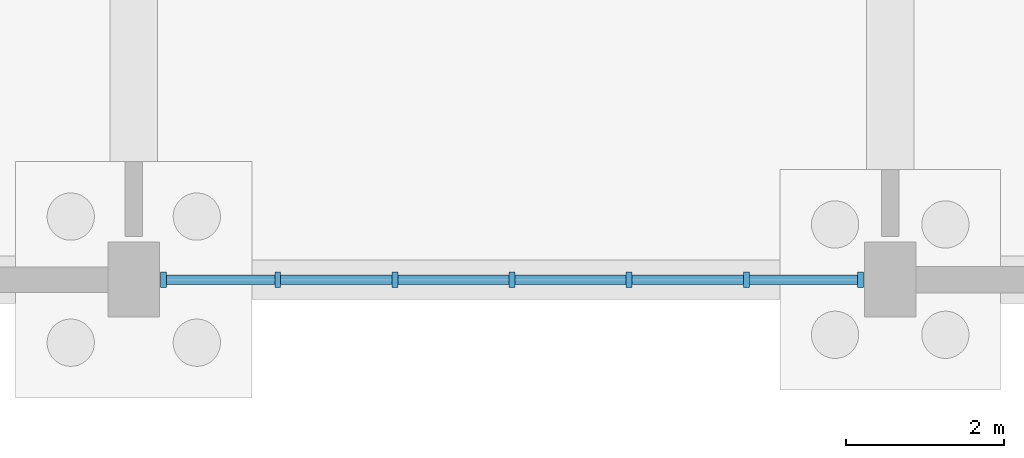
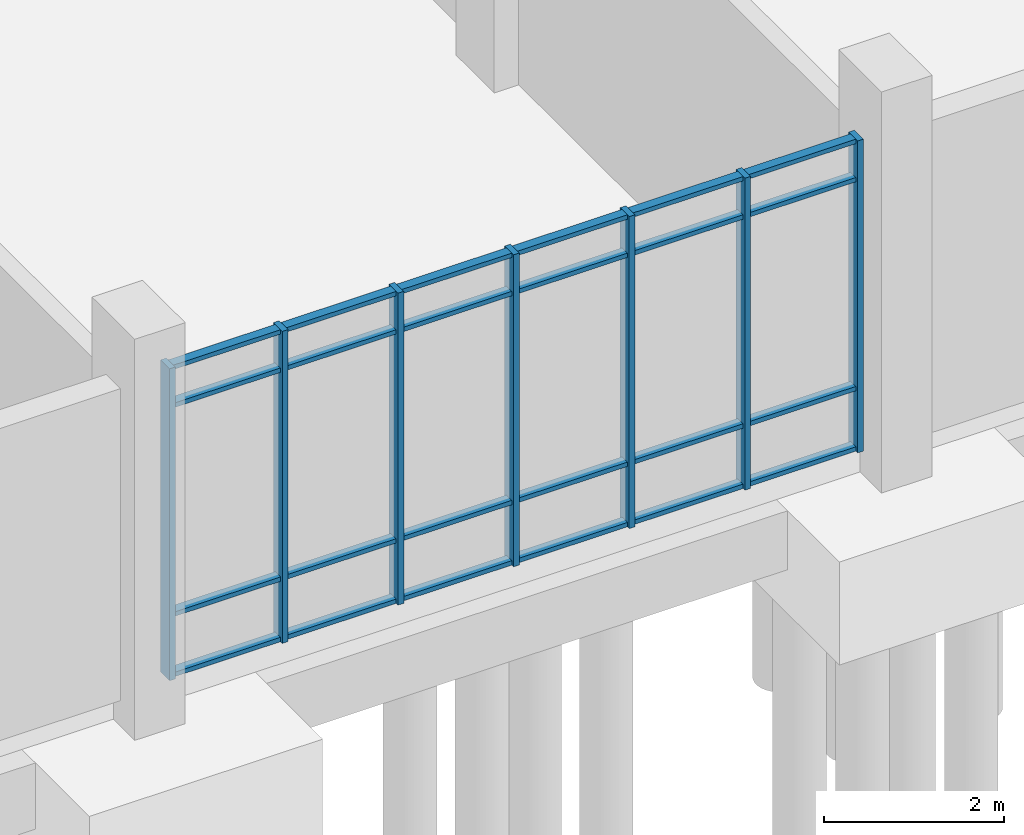
# One storey, part 28 of 136: 31 members, 1 element without a shape of its own.
"""IFC4 building model written with IfcOpenShell, lengths in metres."""

from ifc_helpers import new_model, si_unit, direction, frame, origin, origin_2d, place, context, subcontext, project, spatial, rectangle, extrude, material, material_profile, profile_set, type_object, element, aggregate, save


model = new_model("IFC4")

# Units and contexts
model_context = context("Model", 3, precision=1e-05, world=origin(), true_north=direction((0.0, 1.0)))
body_context = subcontext(model_context, "Body", "Model", "MODEL_VIEW")
ifc_project = project(units=[si_unit("LENGTHUNIT", "METRE"), si_unit("AREAUNIT", "SQUARE_METRE"), si_unit("VOLUMEUNIT", "CUBIC_METRE"), si_unit("PLANEANGLEUNIT", "RADIAN"), si_unit("MASSUNIT", "GRAM", prefix="KILO")], contexts=[model_context])

# Site, building, storey
site_placement = place(None, origin())
site = spatial("IfcSite", under=ifc_project, at=site_placement, CompositionType="ELEMENT")
building_placement = place(site_placement, origin())
building = spatial("IfcBuilding", under=site, at=building_placement, Name="Oolite Switchyard Hospital", CompositionType="ELEMENT")
storey_placement = place(building_placement, origin())
storey = spatial("IfcBuildingStorey", under=building, at=storey_placement, Name="L00", CompositionType="ELEMENT", Elevation=0.0)

# Curtain wall, members
ifc_material_1 = material(Name="Thermally broken aluminum frame with laminated impact glazing", Category="aluminium")
curtain_wall_type = type_object("IfcCurtainWallType", Name="CW-UNIT-96X51", PredefinedType="USERDEFINED", material=ifc_material_1)
curtain_wall_placement = place(storey_placement, origin())
curtain_wall = element("IfcCurtainWall", 1, at=curtain_wall_placement, inside=storey, type_object=curtain_wall_type, Name="L00 Unitised Curtain Wall 2", ObjectType="UNITISED", PredefinedType="USERDEFINED")
ifc_material_2 = material(Name="Aluminium 6063-T6", Category="aluminium")
ifc_material_profile_1 = material_profile(ifc_material_2, rectangle(XDim=0.199951171875, YDim=0.074951171875, at=origin_2d()), Name="CWM75X200")
ifc_profile_set_1 = profile_set([ifc_material_profile_1], Name="Aluminium 6063-T6")
member_type_1 = type_object("IfcMemberType", Name="CW-MUL-260", PredefinedType="MULLION", material=ifc_profile_set_1)
member_1_placement = place(storey_placement, frame((57.222412109375, 0.0, 0.0), z_axis=(0.0, 0.0, 1.0), x_axis=(0.0, -1.0, 0.0)))
member_1 = element("IfcMember", 2, at=member_1_placement, type_object=member_type_1, Name="CW-01 mullion 1", PredefinedType="MULLION", context=body_context, shape_type="SweptSolid", body=[
    extrude(rectangle(XDim=0.199951171875, YDim=0.074951171875, at=origin_2d()), origin(), (0.0, 0.0, 1.0), 4.239990234375),
])
member_2_placement = place(storey_placement, frame((55.7734375, 0.0, 0.0), z_axis=(0.0, 0.0, 1.0), x_axis=(0.0, -1.0, 0.0)))
member_2 = element("IfcMember", 3, at=member_2_placement, type_object=member_type_1, Name="CW-01 mullion 2", PredefinedType="MULLION", context=body_context, shape_type="SweptSolid", body=[
    extrude(rectangle(XDim=0.199951171875, YDim=0.074951171875, at=origin_2d()), origin(), (0.0, 0.0, 1.0), 4.239990234375),
])
member_3_placement = place(storey_placement, frame((54.28662109375, 0.0, 0.0), z_axis=(0.0, 0.0, 1.0), x_axis=(0.0, -1.0, 0.0)))
member_3 = element("IfcMember", 4, at=member_3_placement, type_object=member_type_1, Name="CW-01 mullion 3", PredefinedType="MULLION", context=body_context, shape_type="SweptSolid", body=[
    extrude(rectangle(XDim=0.199951171875, YDim=0.074951171875, at=origin_2d()), origin(), (0.0, 0.0, 1.0), 4.239990234375),
])
member_4_placement = place(storey_placement, frame((52.800048828125, 0.0, 0.0), z_axis=(0.0, 0.0, 1.0), x_axis=(0.0, -1.0, 0.0)))
member_4 = element("IfcMember", 5, at=member_4_placement, type_object=member_type_1, Name="CW-01 mullion 4", PredefinedType="MULLION", context=body_context, shape_type="SweptSolid", body=[
    extrude(rectangle(XDim=0.199951171875, YDim=0.074951171875, at=origin_2d()), origin(), (0.0, 0.0, 1.0), 4.239990234375),
])
member_5_placement = place(storey_placement, frame((51.313232421875, 0.0, 0.0), z_axis=(0.0, 0.0, 1.0), x_axis=(0.0, -1.0, 0.0)))
member_5 = element("IfcMember", 6, at=member_5_placement, type_object=member_type_1, Name="CW-01 mullion 5", PredefinedType="MULLION", context=body_context, shape_type="SweptSolid", body=[
    extrude(rectangle(XDim=0.199951171875, YDim=0.074951171875, at=origin_2d()), origin(), (0.0, 0.0, 1.0), 4.239990234375),
])
member_6_placement = place(storey_placement, frame((49.82666015625, 0.0, 0.0), z_axis=(0.0, 0.0, 1.0), x_axis=(0.0, -1.0, 0.0)))
member_6 = element("IfcMember", 7, at=member_6_placement, type_object=member_type_1, Name="CW-01 mullion 6", PredefinedType="MULLION", context=body_context, shape_type="SweptSolid", body=[
    extrude(rectangle(XDim=0.199951171875, YDim=0.074951171875, at=origin_2d()), origin(), (0.0, 0.0, 1.0), 4.239990234375),
])
member_7_placement = place(storey_placement, frame((48.37744140625, 0.0, 0.0), z_axis=(0.0, 0.0, 1.0), x_axis=(0.0, -1.0, 0.0)))
member_7 = element("IfcMember", 8, at=member_7_placement, type_object=member_type_1, Name="CW-01 mullion 7", PredefinedType="MULLION", context=body_context, shape_type="SweptSolid", body=[
    extrude(rectangle(XDim=0.199951171875, YDim=0.074951171875, at=origin_2d()), origin(), (0.0, 0.0, 1.0), 4.239990234375),
])
ifc_material_profile_2 = material_profile(ifc_material_2, rectangle(XDim=0.1201171875, YDim=0.06005859375, at=origin_2d()), Name="CWT60X120")
ifc_profile_set_2 = profile_set([ifc_material_profile_2], Name="Aluminium 6063-T6")
member_type_2 = type_object("IfcMemberType", Name="CW-TRN-150", PredefinedType="USERDEFINED", material=ifc_profile_set_2)
member_8_placement = place(storey_placement, frame((57.18505859375, 0.0, 0.030029296875), z_axis=(-1.0, 0.0, 0.0), x_axis=(0.0, -1.0, 0.0)))
member_8 = element("IfcMember", 9, at=member_8_placement, type_object=member_type_2, Name="CW-01 transom 1.1", ObjectType="TRANSOM", PredefinedType="USERDEFINED", context=body_context, shape_type="SweptSolid", body=[
    extrude(rectangle(XDim=0.1201171875, YDim=0.06005859375, at=origin_2d()), origin(), (0.0, 0.0, 1.0), 1.374267578125),
])
member_9_placement = place(storey_placement, frame((57.18505859375, 0.0, 0.85009765625), z_axis=(-1.0, 0.0, 0.0), x_axis=(0.0, -1.0, 0.0)))
member_9 = element("IfcMember", 10, at=member_9_placement, type_object=member_type_2, Name="CW-01 transom 1.2", ObjectType="TRANSOM", PredefinedType="USERDEFINED", context=body_context, shape_type="SweptSolid", body=[
    extrude(rectangle(XDim=0.1201171875, YDim=0.06005859375, at=origin_2d()), origin(), (0.0, 0.0, 1.0), 1.374267578125),
])
member_10_placement = place(storey_placement, frame((57.18505859375, 0.0, 3.68994140625), z_axis=(-1.0, 0.0, 0.0), x_axis=(0.0, -1.0, 0.0)))
member_10 = element("IfcMember", 11, at=member_10_placement, type_object=member_type_2, Name="CW-01 transom 1.3", ObjectType="TRANSOM", PredefinedType="USERDEFINED", context=body_context, shape_type="SweptSolid", body=[
    extrude(rectangle(XDim=0.1201171875, YDim=0.06005859375, at=origin_2d()), origin(), (0.0, 0.0, 1.0), 1.374267578125),
])
member_11_placement = place(storey_placement, frame((57.18505859375, 0.0, 4.2099609375), z_axis=(-1.0, 0.0, 0.0), x_axis=(0.0, -1.0, 0.0)))
member_11 = element("IfcMember", 12, at=member_11_placement, type_object=member_type_2, Name="CW-01 transom 1.4", ObjectType="TRANSOM", PredefinedType="USERDEFINED", context=body_context, shape_type="SweptSolid", body=[
    extrude(rectangle(XDim=0.1201171875, YDim=0.06005859375, at=origin_2d()), origin(), (0.0, 0.0, 1.0), 1.374267578125),
])
member_12_placement = place(storey_placement, frame((55.73583984375, 0.0, 0.030029296875), z_axis=(-1.0, 0.0, 0.0), x_axis=(0.0, -1.0, 0.0)))
member_12 = element("IfcMember", 13, at=member_12_placement, type_object=member_type_2, Name="CW-01 transom 2.1", ObjectType="TRANSOM", PredefinedType="USERDEFINED", context=body_context, shape_type="SweptSolid", body=[
    extrude(rectangle(XDim=0.1201171875, YDim=0.06005859375, at=origin_2d()), origin(), (0.0, 0.0, 1.0), 1.41162109375),
])
member_13_placement = place(storey_placement, frame((55.73583984375, 0.0, 0.85009765625), z_axis=(-1.0, 0.0, 0.0), x_axis=(0.0, -1.0, 0.0)))
member_13 = element("IfcMember", 14, at=member_13_placement, type_object=member_type_2, Name="CW-01 transom 2.2", ObjectType="TRANSOM", PredefinedType="USERDEFINED", context=body_context, shape_type="SweptSolid", body=[
    extrude(rectangle(XDim=0.1201171875, YDim=0.06005859375, at=origin_2d()), origin(), (0.0, 0.0, 1.0), 1.41162109375),
])
member_14_placement = place(storey_placement, frame((55.73583984375, 0.0, 3.68994140625), z_axis=(-1.0, 0.0, 0.0), x_axis=(0.0, -1.0, 0.0)))
member_14 = element("IfcMember", 15, at=member_14_placement, type_object=member_type_2, Name="CW-01 transom 2.3", ObjectType="TRANSOM", PredefinedType="USERDEFINED", context=body_context, shape_type="SweptSolid", body=[
    extrude(rectangle(XDim=0.1201171875, YDim=0.06005859375, at=origin_2d()), origin(), (0.0, 0.0, 1.0), 1.41162109375),
])
member_15_placement = place(storey_placement, frame((55.73583984375, 0.0, 4.2099609375), z_axis=(-1.0, 0.0, 0.0), x_axis=(0.0, -1.0, 0.0)))
member_15 = element("IfcMember", 16, at=member_15_placement, type_object=member_type_2, Name="CW-01 transom 2.4", ObjectType="TRANSOM", PredefinedType="USERDEFINED", context=body_context, shape_type="SweptSolid", body=[
    extrude(rectangle(XDim=0.1201171875, YDim=0.06005859375, at=origin_2d()), origin(), (0.0, 0.0, 1.0), 1.41162109375),
])
member_16_placement = place(storey_placement, frame((54.249267578125, 0.0, 0.030029296875), z_axis=(-1.0, 0.0, 0.0), x_axis=(0.0, -1.0, 0.0)))
member_16 = element("IfcMember", 17, at=member_16_placement, type_object=member_type_2, Name="CW-01 transom 3.1", ObjectType="TRANSOM", PredefinedType="USERDEFINED", context=body_context, shape_type="SweptSolid", body=[
    extrude(rectangle(XDim=0.1201171875, YDim=0.06005859375, at=origin_2d()), origin(), (0.0, 0.0, 1.0), 1.411865234375),
])
member_17_placement = place(storey_placement, frame((54.249267578125, 0.0, 0.85009765625), z_axis=(-1.0, 0.0, 0.0), x_axis=(0.0, -1.0, 0.0)))
member_17 = element("IfcMember", 18, at=member_17_placement, type_object=member_type_2, Name="CW-01 transom 3.2", ObjectType="TRANSOM", PredefinedType="USERDEFINED", context=body_context, shape_type="SweptSolid", body=[
    extrude(rectangle(XDim=0.1201171875, YDim=0.06005859375, at=origin_2d()), origin(), (0.0, 0.0, 1.0), 1.411865234375),
])
member_18_placement = place(storey_placement, frame((54.249267578125, 0.0, 3.68994140625), z_axis=(-1.0, 0.0, 0.0), x_axis=(0.0, -1.0, 0.0)))
member_18 = element("IfcMember", 19, at=member_18_placement, type_object=member_type_2, Name="CW-01 transom 3.3", ObjectType="TRANSOM", PredefinedType="USERDEFINED", context=body_context, shape_type="SweptSolid", body=[
    extrude(rectangle(XDim=0.1201171875, YDim=0.06005859375, at=origin_2d()), origin(), (0.0, 0.0, 1.0), 1.411865234375),
])
member_19_placement = place(storey_placement, frame((54.249267578125, 0.0, 4.2099609375), z_axis=(-1.0, 0.0, 0.0), x_axis=(0.0, -1.0, 0.0)))
member_19 = element("IfcMember", 20, at=member_19_placement, type_object=member_type_2, Name="CW-01 transom 3.4", ObjectType="TRANSOM", PredefinedType="USERDEFINED", context=body_context, shape_type="SweptSolid", body=[
    extrude(rectangle(XDim=0.1201171875, YDim=0.06005859375, at=origin_2d()), origin(), (0.0, 0.0, 1.0), 1.411865234375),
])
member_20_placement = place(storey_placement, frame((52.762451171875, 0.0, 0.030029296875), z_axis=(-1.0, 0.0, 0.0), x_axis=(0.0, -1.0, 0.0)))
member_20 = element("IfcMember", 21, at=member_20_placement, type_object=member_type_2, Name="CW-01 transom 4.1", ObjectType="TRANSOM", PredefinedType="USERDEFINED", context=body_context, shape_type="SweptSolid", body=[
    extrude(rectangle(XDim=0.1201171875, YDim=0.06005859375, at=origin_2d()), origin(), (0.0, 0.0, 1.0), 1.41162109375),
])
member_21_placement = place(storey_placement, frame((52.762451171875, 0.0, 0.85009765625), z_axis=(-1.0, 0.0, 0.0), x_axis=(0.0, -1.0, 0.0)))
member_21 = element("IfcMember", 22, at=member_21_placement, type_object=member_type_2, Name="CW-01 transom 4.2", ObjectType="TRANSOM", PredefinedType="USERDEFINED", context=body_context, shape_type="SweptSolid", body=[
    extrude(rectangle(XDim=0.1201171875, YDim=0.06005859375, at=origin_2d()), origin(), (0.0, 0.0, 1.0), 1.41162109375),
])
member_22_placement = place(storey_placement, frame((52.762451171875, 0.0, 3.68994140625), z_axis=(-1.0, 0.0, 0.0), x_axis=(0.0, -1.0, 0.0)))
member_22 = element("IfcMember", 23, at=member_22_placement, type_object=member_type_2, Name="CW-01 transom 4.3", ObjectType="TRANSOM", PredefinedType="USERDEFINED", context=body_context, shape_type="SweptSolid", body=[
    extrude(rectangle(XDim=0.1201171875, YDim=0.06005859375, at=origin_2d()), origin(), (0.0, 0.0, 1.0), 1.41162109375),
])
member_23_placement = place(storey_placement, frame((52.762451171875, 0.0, 4.2099609375), z_axis=(-1.0, 0.0, 0.0), x_axis=(0.0, -1.0, 0.0)))
member_23 = element("IfcMember", 24, at=member_23_placement, type_object=member_type_2, Name="CW-01 transom 4.4", ObjectType="TRANSOM", PredefinedType="USERDEFINED", context=body_context, shape_type="SweptSolid", body=[
    extrude(rectangle(XDim=0.1201171875, YDim=0.06005859375, at=origin_2d()), origin(), (0.0, 0.0, 1.0), 1.41162109375),
])
member_24_placement = place(storey_placement, frame((51.27587890625, 0.0, 0.030029296875), z_axis=(-1.0, 0.0, 0.0), x_axis=(0.0, -1.0, 0.0)))
member_24 = element("IfcMember", 25, at=member_24_placement, type_object=member_type_2, Name="CW-01 transom 5.1", ObjectType="TRANSOM", PredefinedType="USERDEFINED", context=body_context, shape_type="SweptSolid", body=[
    extrude(rectangle(XDim=0.1201171875, YDim=0.06005859375, at=origin_2d()), origin(), (0.0, 0.0, 1.0), 1.41162109375),
])
member_25_placement = place(storey_placement, frame((51.27587890625, 0.0, 0.85009765625), z_axis=(-1.0, 0.0, 0.0), x_axis=(0.0, -1.0, 0.0)))
member_25 = element("IfcMember", 26, at=member_25_placement, type_object=member_type_2, Name="CW-01 transom 5.2", ObjectType="TRANSOM", PredefinedType="USERDEFINED", context=body_context, shape_type="SweptSolid", body=[
    extrude(rectangle(XDim=0.1201171875, YDim=0.06005859375, at=origin_2d()), origin(), (0.0, 0.0, 1.0), 1.41162109375),
])
member_26_placement = place(storey_placement, frame((51.27587890625, 0.0, 3.68994140625), z_axis=(-1.0, 0.0, 0.0), x_axis=(0.0, -1.0, 0.0)))
member_26 = element("IfcMember", 27, at=member_26_placement, type_object=member_type_2, Name="CW-01 transom 5.3", ObjectType="TRANSOM", PredefinedType="USERDEFINED", context=body_context, shape_type="SweptSolid", body=[
    extrude(rectangle(XDim=0.1201171875, YDim=0.06005859375, at=origin_2d()), origin(), (0.0, 0.0, 1.0), 1.41162109375),
])
member_27_placement = place(storey_placement, frame((51.27587890625, 0.0, 4.2099609375), z_axis=(-1.0, 0.0, 0.0), x_axis=(0.0, -1.0, 0.0)))
member_27 = element("IfcMember", 28, at=member_27_placement, type_object=member_type_2, Name="CW-01 transom 5.4", ObjectType="TRANSOM", PredefinedType="USERDEFINED", context=body_context, shape_type="SweptSolid", body=[
    extrude(rectangle(XDim=0.1201171875, YDim=0.06005859375, at=origin_2d()), origin(), (0.0, 0.0, 1.0), 1.41162109375),
])
member_28_placement = place(storey_placement, frame((49.7890625, 0.0, 0.030029296875), z_axis=(-1.0, 0.0, 0.0), x_axis=(0.0, -1.0, 0.0)))
member_28 = element("IfcMember", 29, at=member_28_placement, type_object=member_type_2, Name="CW-01 transom 6.1", ObjectType="TRANSOM", PredefinedType="USERDEFINED", context=body_context, shape_type="SweptSolid", body=[
    extrude(rectangle(XDim=0.1201171875, YDim=0.06005859375, at=origin_2d()), origin(), (0.0, 0.0, 1.0), 1.3740234375),
])
member_29_placement = place(storey_placement, frame((49.7890625, 0.0, 0.85009765625), z_axis=(-1.0, 0.0, 0.0), x_axis=(0.0, -1.0, 0.0)))
member_29 = element("IfcMember", 30, at=member_29_placement, type_object=member_type_2, Name="CW-01 transom 6.2", ObjectType="TRANSOM", PredefinedType="USERDEFINED", context=body_context, shape_type="SweptSolid", body=[
    extrude(rectangle(XDim=0.1201171875, YDim=0.06005859375, at=origin_2d()), origin(), (0.0, 0.0, 1.0), 1.3740234375),
])
member_30_placement = place(storey_placement, frame((49.7890625, 0.0, 3.68994140625), z_axis=(-1.0, 0.0, 0.0), x_axis=(0.0, -1.0, 0.0)))
member_30 = element("IfcMember", 31, at=member_30_placement, type_object=member_type_2, Name="CW-01 transom 6.3", ObjectType="TRANSOM", PredefinedType="USERDEFINED", context=body_context, shape_type="SweptSolid", body=[
    extrude(rectangle(XDim=0.1201171875, YDim=0.06005859375, at=origin_2d()), origin(), (0.0, 0.0, 1.0), 1.3740234375),
])
member_31_placement = place(storey_placement, frame((49.7890625, 0.0, 4.2099609375), z_axis=(-1.0, 0.0, 0.0), x_axis=(0.0, -1.0, 0.0)))
member_31 = element("IfcMember", 32, at=member_31_placement, type_object=member_type_2, Name="CW-01 transom 6.4", ObjectType="TRANSOM", PredefinedType="USERDEFINED", context=body_context, shape_type="SweptSolid", body=[
    extrude(rectangle(XDim=0.1201171875, YDim=0.06005859375, at=origin_2d()), origin(), (0.0, 0.0, 1.0), 1.3740234375),
])
aggregate(curtain_wall, [member_1, member_2, member_3, member_4, member_5, member_6, member_7, member_8, member_9, member_10, member_11, member_12, member_13, member_14, member_15, member_16, member_17, member_18, member_19, member_20, member_21, member_22, member_23, member_24, member_25, member_26, member_27, member_28, member_29, member_30, member_31])

save(model, "model.ifc")
